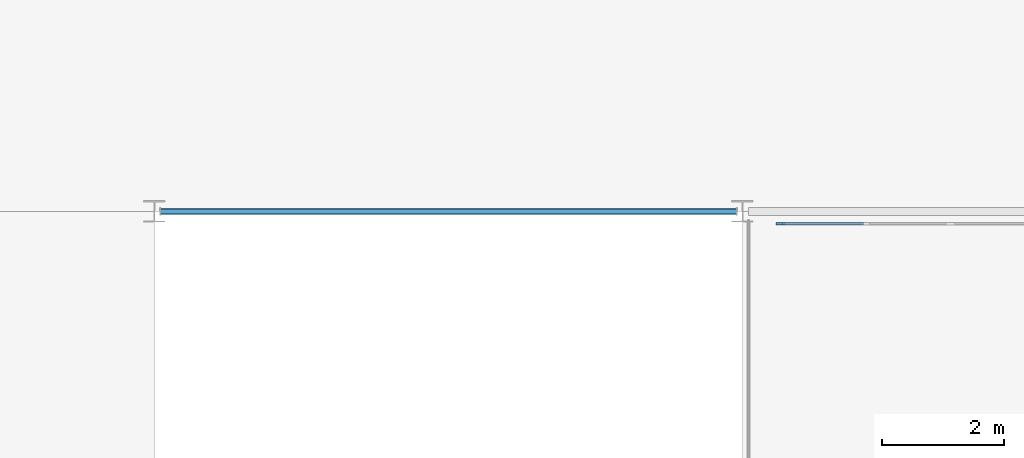
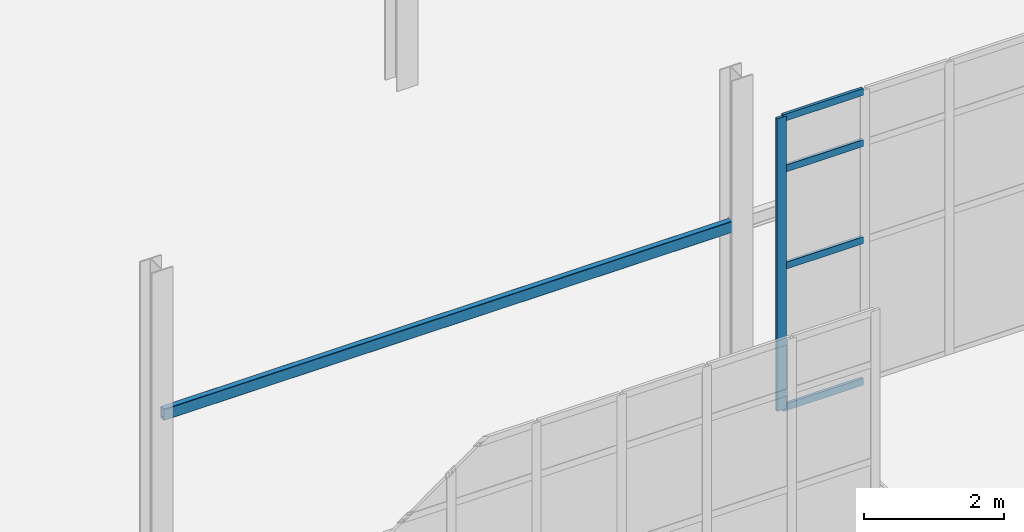
# One storey, part 37 of 139: 5 members, 1 beam, 1 element without a shape of its own.
"""IFC4 building model written with IfcOpenShell, lengths in metres."""

from ifc_helpers import new_model, si_unit, direction, frame, origin, origin_2d, place, context, subcontext, project, spatial, rectangle, hollow_rectangle, extrude, material, layer, layer_set, material_profile, profile_set, type_object, element, aggregate, save


model = new_model("IFC4")

# Units and contexts
model_context = context("Model", 3, precision=1e-05, world=origin(), true_north=direction((0.0, 1.0)))
body_context = subcontext(model_context, "Body", "Model", "MODEL_VIEW")
ifc_project = project(units=[si_unit("LENGTHUNIT", "METRE"), si_unit("AREAUNIT", "SQUARE_METRE"), si_unit("VOLUMEUNIT", "CUBIC_METRE"), si_unit("PLANEANGLEUNIT", "RADIAN"), si_unit("MASSUNIT", "GRAM", prefix="KILO")], contexts=[model_context])

# Site, building, storey
site_placement = place(None, origin())
site = spatial("IfcSite", under=ifc_project, at=site_placement, CompositionType="ELEMENT")
building_placement = place(site_placement, origin())
building = spatial("IfcBuilding", under=site, at=building_placement, Name="Yeouljin Market Hall", CompositionType="ELEMENT")
storey_placement = place(building_placement, origin())
storey = spatial("IfcBuildingStorey", under=building, at=storey_placement, Name="L00", CompositionType="ELEMENT", Elevation=0.0)

# Curtain wall, members
ifc_material_1 = material(Name="Thermally Broken Aluminium", Category="aluminium")
ifc_layer = layer(ifc_material_1, 0.14990234375)
ifc_layer_set = layer_set([ifc_layer], Name="Thermally Broken Aluminium")
curtain_wall_type = type_object("IfcCurtainWallType", Name="CW_ColonnadeScreen_System", PredefinedType="USERDEFINED", material=ifc_layer_set)
curtain_wall_placement = place(storey_placement, origin())
curtain_wall = element("IfcCurtainWall", 1, at=curtain_wall_placement, inside=storey, type_object=curtain_wall_type, Name="Curtain wall CW-V5N-L00-5", ObjectType="CURTAIN WALL", PredefinedType="USERDEFINED")
ifc_material_2 = material(Name="Thermally Broken Aluminium", Category="aluminium")
ifc_material_profile_1 = material_profile(ifc_material_2, rectangle(XDim=0.048095703125, YDim=0.14990234375, at=origin_2d()), Name="CW-MULL-48x150")
ifc_profile_set_1 = profile_set([ifc_material_profile_1], Name="Thermally Broken Aluminium")
member_type_1 = type_object("IfcMemberType", Name="CWMullion_48x150", PredefinedType="MULLION", material=ifc_profile_set_1)
member_1_placement = place(storey_placement, frame((122.424072265625, 9.39990234375, 0.0), z_axis=(0.0, 0.0, 1.0), x_axis=(0.0, 1.0, 0.0)))
member_1 = element("IfcMember", 2, at=member_1_placement, type_object=member_type_1, Name="CW-06 mullion 1", PredefinedType="MULLION", context=body_context, shape_type="SweptSolid", body=[
    extrude(rectangle(XDim=0.048095703125, YDim=0.14990234375, at=origin_2d()), origin(), (0.0, 0.0, 1.0), 5.1201171875),
])
ifc_material_3 = material(Name="Thermally Broken Aluminium", Category="aluminium")
ifc_material_profile_2 = material_profile(ifc_material_3, rectangle(XDim=0.048095703125, YDim=0.1201171875, at=origin_2d()), Name="CW-TRAN-48x120")
ifc_profile_set_2 = profile_set([ifc_material_profile_2], Name="Thermally Broken Aluminium")
member_type_2 = type_object("IfcMemberType", Name="CWTransom_48x120", PredefinedType="USERDEFINED", material=ifc_profile_set_2)
member_2_placement = place(storey_placement, frame((122.447998046875, 9.39990234375, 0.02392578125), z_axis=(1.0, 0.0, 0.0), x_axis=(0.0, 1.0, 0.0)))
member_2 = element("IfcMember", 3, at=member_2_placement, type_object=member_type_2, Name="CW-06 transom 1.1", ObjectType="TRANSOM", PredefinedType="USERDEFINED", context=body_context, shape_type="SweptSolid", body=[
    extrude(rectangle(XDim=0.048095703125, YDim=0.1201171875, at=origin_2d()), origin(), (0.0, 0.0, 1.0), 1.327880859375),
])
member_3_placement = place(storey_placement, frame((122.447998046875, 9.39990234375, 2.5), z_axis=(1.0, 0.0, 0.0), x_axis=(0.0, 1.0, 0.0)))
member_3 = element("IfcMember", 4, at=member_3_placement, type_object=member_type_2, Name="CW-06 transom 1.2", ObjectType="TRANSOM", PredefinedType="USERDEFINED", context=body_context, shape_type="SweptSolid", body=[
    extrude(rectangle(XDim=0.048095703125, YDim=0.1201171875, at=origin_2d()), origin(), (0.0, 0.0, 1.0), 1.327880859375),
])
member_4_placement = place(storey_placement, frame((122.447998046875, 9.39990234375, 4.199951171875), z_axis=(1.0, 0.0, 0.0), x_axis=(0.0, 1.0, 0.0)))
member_4 = element("IfcMember", 5, at=member_4_placement, type_object=member_type_2, Name="CW-06 transom 1.3", ObjectType="TRANSOM", PredefinedType="USERDEFINED", context=body_context, shape_type="SweptSolid", body=[
    extrude(rectangle(XDim=0.048095703125, YDim=0.1201171875, at=origin_2d()), origin(), (0.0, 0.0, 1.0), 1.327880859375),
])
member_5_placement = place(storey_placement, frame((122.447998046875, 9.39990234375, 5.095947265625), z_axis=(1.0, 0.0, 0.0), x_axis=(0.0, 1.0, 0.0)))
member_5 = element("IfcMember", 6, at=member_5_placement, type_object=member_type_2, Name="CW-06 transom 1.4", ObjectType="TRANSOM", PredefinedType="USERDEFINED", context=body_context, shape_type="SweptSolid", body=[
    extrude(rectangle(XDim=0.048095703125, YDim=0.1201171875, at=origin_2d()), origin(), (0.0, 0.0, 1.0), 1.327880859375),
])
aggregate(curtain_wall, [member_1, member_2, member_3, member_4, member_5])

# Beam
ifc_material_4 = material(Name="Steel SS275", Category="steel")
ifc_material_profile_3 = material_profile(ifc_material_4, hollow_rectangle(XDim=0.10009765625, YDim=0.199951171875, WallThickness=0.006103515625, InnerFilletRadius=0.006103515625, OuterFilletRadius=0.011962890625, at=origin_2d()), Name="RHS-200x100x6")
ifc_profile_set_3 = profile_set([ifc_material_profile_3], Name="Steel SS275")
beam_type = type_object("IfcBeamType", Name="Lintel_RHS200x100", PredefinedType="LINTEL", material=ifc_profile_set_3)
beam_placement = place(storey_placement, frame((112.300048828125, 9.60009765625, 3.35009765625), z_axis=(1.0, 0.0, 0.0), x_axis=(0.0, 1.0, 0.0)))
element("IfcBeam", 7, at=beam_placement, inside=storey, type_object=beam_type, Name="Colonnade portal lintel L00-04", PredefinedType="LINTEL", context=body_context, shape_type="SweptSolid", body=[
    extrude(hollow_rectangle(XDim=0.10009765625, YDim=0.199951171875, WallThickness=0.006103515625, InnerFilletRadius=0.006103515625, OuterFilletRadius=0.011962890625, at=origin_2d()), origin(), (0.0, 0.0, 1.0), 9.39990234375),
])

save(model, "model.ifc")
